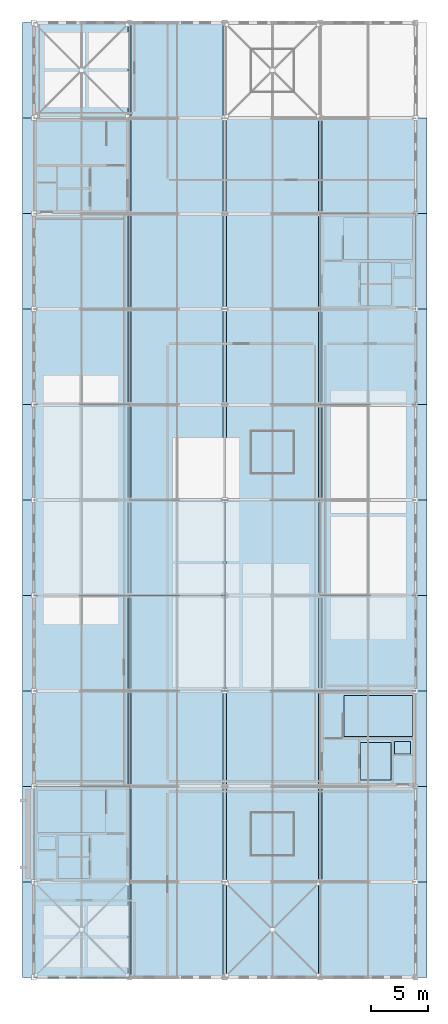
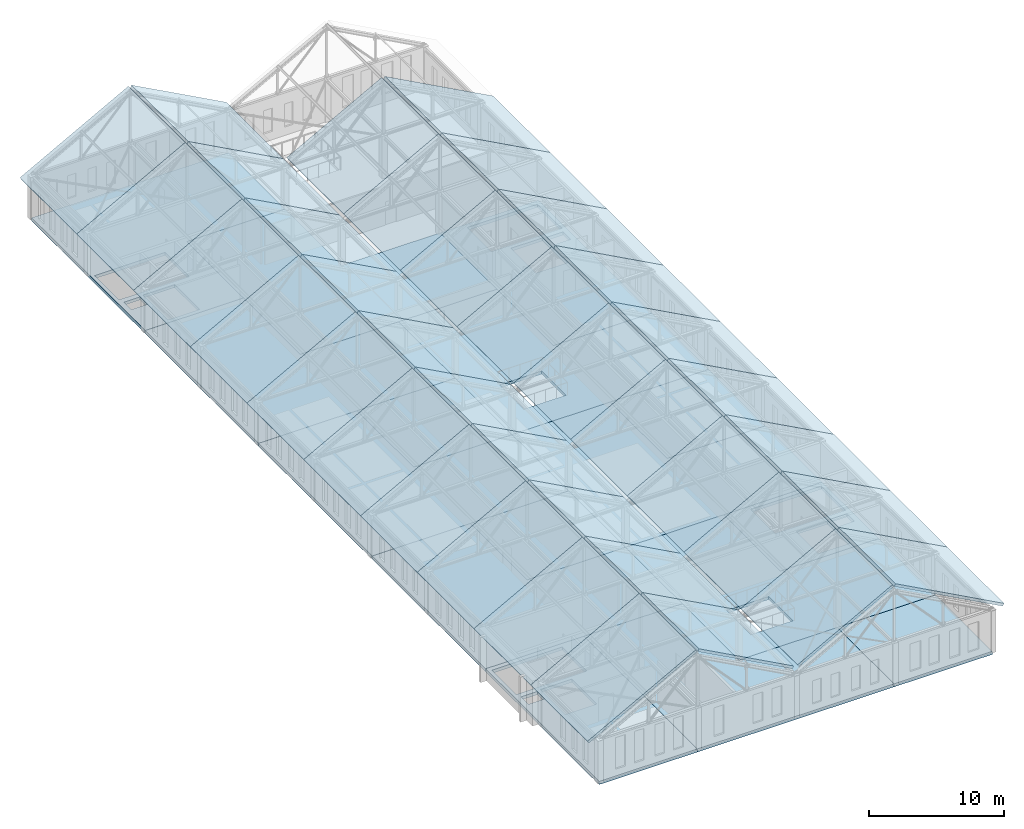
# One storey, part 16 of 36: 54 slabs.
"""IFC4 building model written with IfcOpenShell, lengths in metres."""

from ifc_helpers import new_model, si_unit, direction, frame, origin, place, context, subcontext, project, spatial, polyline, outline, extrude, material, layer, layer_set, type_object, element, save


model = new_model("IFC4")

# Units and contexts
model_context = context("Model", 3, precision=1e-05, world=origin(), true_north=direction((0.0, 1.0)))
body_context = subcontext(model_context, "Body", "Model", "MODEL_VIEW")
ifc_project = project(units=[si_unit("LENGTHUNIT", "METRE"), si_unit("AREAUNIT", "SQUARE_METRE"), si_unit("VOLUMEUNIT", "CUBIC_METRE"), si_unit("PLANEANGLEUNIT", "RADIAN"), si_unit("MASSUNIT", "GRAM", prefix="KILO")], contexts=[model_context])

# Site, building, storey
site_placement = place(None, origin())
site = spatial("IfcSite", under=ifc_project, at=site_placement, CompositionType="ELEMENT")
building_placement = place(site_placement, origin())
building = spatial("IfcBuilding", under=site, at=building_placement, Name="Kveldsbrygga Polytechnic", CompositionType="ELEMENT")
storey_placement = place(building_placement, frame((0.0, 0.0, 26.179931640625)))
storey = spatial("IfcBuildingStorey", under=building, at=storey_placement, Name="L06", CompositionType="ELEMENT", Elevation=26.179931640625)

# Slabs
ifc_material = material(Name="Concrete C35/45", Category="concrete")
ifc_layer_1 = layer(ifc_material, 0.239990234375)
ifc_layer_set_1 = layer_set([ifc_layer_1], Name="Concrete C35/45")
slab_type_1 = type_object("IfcSlabType", Name="SLB-ROOF-240", PredefinedType="ROOF", material=ifc_layer_set_1)
slab_1_placement = place(storey_placement, frame((125.0, 16.800048828125, 3.980712890625), z_axis=(-0.476295090308, 0.0, 0.879285497975), x_axis=(0.879285497975, 0.0, 0.476295090308)))
element("IfcSlab", 1, at=slab_1_placement, inside=storey, type_object=slab_type_1, Name="Pitched Roof Slab V4M1-RSLB-1-1", PredefinedType="ROOF", context=body_context, shape_type="SweptSolid", body=[
    extrude(outline(polyline([(0.0, 0.0), (10.537675216231701, 0.0), (10.537675216231701, 8.39990234375), (0.0, 8.39990234375), (0.0, 0.0)])), origin(), (0.0, 0.0, -1.0), 0.239990234375),
])
slab_2_placement = place(storey_placement, frame((134.5341796875, 16.800048828125, 8.999755859375), z_axis=(0.476281444297, 0.0, 0.879292889666), x_axis=(0.879292889666, 0.0, -0.476281444297)))
element("IfcSlab", 2, at=slab_2_placement, inside=storey, type_object=slab_type_1, Name="Pitched Roof Slab V4M1-RSLB-1-2", PredefinedType="ROOF", context=body_context, shape_type="SweptSolid", body=[
    extrude(outline(polyline([(0.0, 0.0), (9.22982859480255, 0.0), (9.22982859480255, 8.39990234375), (0.0, 8.39990234375), (0.0, 0.0)])), origin(), (0.0, 0.0, -1.0), 0.239990234375),
])
slab_3_placement = place(storey_placement, frame((125.0, 25.199951171875, 3.980712890625), z_axis=(-0.476295090308, 0.0, 0.879285497975), x_axis=(0.879285497975, 0.0, 0.476295090308)))
element("IfcSlab", 3, at=slab_3_placement, inside=storey, type_object=slab_type_1, Name="Pitched Roof Slab V4M1-RSLB-2-1", PredefinedType="ROOF", context=body_context, shape_type="SweptSolid", body=[
    extrude(outline(polyline([(0.0, 0.0), (10.537675216231701, 0.0), (10.537675216231701, 8.400146484375), (0.0, 8.400146484375), (0.0, 0.0)])), origin(), (0.0, 0.0, -1.0), 0.239990234375),
])
slab_4_placement = place(storey_placement, frame((134.5341796875, 25.199951171875, 8.999755859375), z_axis=(0.476281444297, 0.0, 0.879292889666), x_axis=(0.879292889666, 0.0, -0.476281444297)))
element("IfcSlab", 4, at=slab_4_placement, inside=storey, type_object=slab_type_1, Name="Pitched Roof Slab V4M1-RSLB-2-2", PredefinedType="ROOF", context=body_context, shape_type="SweptSolid", body=[
    extrude(outline(polyline([(0.0, 0.0), (9.229828594802552, 0.0), (9.229828594802552, 8.400146484375), (0.0, 8.400146484375), (0.0, 0.0)])), origin(), (0.0, 0.0, -1.0), 0.239990234375),
])
slab_5_placement = place(storey_placement, frame((125.0, 33.60009765625, 3.980712890625), z_axis=(-0.476295090308, 0.0, 0.879285497975), x_axis=(0.879285497975, 0.0, 0.476295090308)))
element("IfcSlab", 5, at=slab_5_placement, inside=storey, type_object=slab_type_1, Name="Pitched Roof Slab V4M1-RSLB-3-1", PredefinedType="ROOF", context=body_context, shape_type="SweptSolid", body=[
    extrude(outline(polyline([(0.0, 0.0), (10.537675216231701, 0.0), (10.537675216231701, 8.39990234375), (0.0, 8.39990234375), (0.0, 0.0)])), origin(), (0.0, 0.0, -1.0), 0.239990234375),
])
slab_6_placement = place(storey_placement, frame((134.5341796875, 33.60009765625, 8.999755859375), z_axis=(0.476281444297, 0.0, 0.879292889666), x_axis=(0.879292889666, 0.0, -0.476281444297)))
element("IfcSlab", 6, at=slab_6_placement, inside=storey, type_object=slab_type_1, Name="Pitched Roof Slab V4M1-RSLB-3-2", PredefinedType="ROOF", context=body_context, shape_type="SweptSolid", body=[
    extrude(outline(polyline([(0.0, 0.0), (9.22982859480255, 0.0), (9.22982859480255, 8.39990234375), (0.0, 8.39990234375), (0.0, 0.0)])), origin(), (0.0, 0.0, -1.0), 0.239990234375),
])
slab_7_placement = place(storey_placement, frame((125.0, 42.0, 3.980712890625), z_axis=(-0.476295090308, 0.0, 0.879285497975), x_axis=(0.879285497975, 0.0, 0.476295090308)))
element("IfcSlab", 7, at=slab_7_placement, inside=storey, type_object=slab_type_1, Name="Pitched Roof Slab V4M1-RSLB-4-1", PredefinedType="ROOF", context=body_context, shape_type="SweptSolid", body=[
    extrude(outline(polyline([(0.0, 0.0), (10.537675216231701, 0.0), (10.537675216231701, 8.39990234375), (0.0, 8.39990234375), (0.0, 0.0)])), origin(), (0.0, 0.0, -1.0), 0.239990234375),
])
slab_8_placement = place(storey_placement, frame((134.5341796875, 42.0, 8.999755859375), z_axis=(0.476281444297, 0.0, 0.879292889666), x_axis=(0.879292889666, 0.0, -0.476281444297)))
element("IfcSlab", 8, at=slab_8_placement, inside=storey, type_object=slab_type_1, Name="Pitched Roof Slab V4M1-RSLB-4-2", PredefinedType="ROOF", context=body_context, shape_type="SweptSolid", body=[
    extrude(outline(polyline([(0.0, 0.0), (9.22982859480255, 0.0), (9.22982859480255, 8.39990234375), (0.0, 8.39990234375), (0.0, 0.0)])), origin(), (0.0, 0.0, -1.0), 0.239990234375),
])
slab_9_placement = place(storey_placement, frame((125.0, 50.39990234375, 3.980712890625), z_axis=(-0.476295090308, 0.0, 0.879285497975), x_axis=(0.879285497975, 0.0, 0.476295090308)))
element("IfcSlab", 9, at=slab_9_placement, inside=storey, type_object=slab_type_1, Name="Pitched Roof Slab V4M1-RSLB-5-1", PredefinedType="ROOF", context=body_context, shape_type="SweptSolid", body=[
    extrude(outline(polyline([(0.0, 0.0), (10.537675216231701, 0.0), (10.537675216231701, 8.400146484375), (0.0, 8.400146484375), (0.0, 0.0)])), origin(), (0.0, 0.0, -1.0), 0.239990234375),
])
slab_10_placement = place(storey_placement, frame((134.5341796875, 50.39990234375, 8.999755859375), z_axis=(0.476281444297, 0.0, 0.879292889666), x_axis=(0.879292889666, 0.0, -0.476281444297)))
element("IfcSlab", 10, at=slab_10_placement, inside=storey, type_object=slab_type_1, Name="Pitched Roof Slab V4M1-RSLB-5-2", PredefinedType="ROOF", context=body_context, shape_type="SweptSolid", body=[
    extrude(outline(polyline([(0.0, 0.0), (9.229828594802552, 0.0), (9.229828594802552, 8.400146484375), (0.0, 8.400146484375), (0.0, 0.0)])), origin(), (0.0, 0.0, -1.0), 0.239990234375),
])
slab_11_placement = place(storey_placement, frame((125.0, 58.800048828125, 3.980712890625), z_axis=(-0.476295090308, 0.0, 0.879285497975), x_axis=(0.879285497975, 0.0, 0.476295090308)))
element("IfcSlab", 11, at=slab_11_placement, inside=storey, type_object=slab_type_1, Name="Pitched Roof Slab V4M1-RSLB-6-1", PredefinedType="ROOF", context=body_context, shape_type="SweptSolid", body=[
    extrude(outline(polyline([(0.0, 0.0), (10.537675216231701, 0.0), (10.537675216231701, 8.39990234375), (0.0, 8.39990234375), (0.0, 0.0)])), origin(), (0.0, 0.0, -1.0), 0.239990234375),
])
slab_12_placement = place(storey_placement, frame((134.5341796875, 58.800048828125, 8.999755859375), z_axis=(0.476281444297, 0.0, 0.879292889666), x_axis=(0.879292889666, 0.0, -0.476281444297)))
element("IfcSlab", 12, at=slab_12_placement, inside=storey, type_object=slab_type_1, Name="Pitched Roof Slab V4M1-RSLB-6-2", PredefinedType="ROOF", context=body_context, shape_type="SweptSolid", body=[
    extrude(outline(polyline([(0.0, 0.0), (9.22982859480255, 0.0), (9.22982859480255, 8.39990234375), (0.0, 8.39990234375), (0.0, 0.0)])), origin(), (0.0, 0.0, -1.0), 0.239990234375),
])
slab_13_placement = place(storey_placement, frame((125.0, 67.199951171875, 3.980712890625), z_axis=(-0.476295090308, 0.0, 0.879285497975), x_axis=(0.879285497975, 0.0, 0.476295090308)))
element("IfcSlab", 13, at=slab_13_placement, inside=storey, type_object=slab_type_1, Name="Pitched Roof Slab V4M1-RSLB-7-1", PredefinedType="ROOF", context=body_context, shape_type="SweptSolid", body=[
    extrude(outline(polyline([(0.0, 0.0), (10.537675216231701, 0.0), (10.537675216231701, 8.400146484375), (0.0, 8.400146484375), (0.0, 0.0)])), origin(), (0.0, 0.0, -1.0), 0.239990234375),
])
slab_14_placement = place(storey_placement, frame((134.5341796875, 67.199951171875, 8.999755859375), z_axis=(0.476281444297, 0.0, 0.879292889666), x_axis=(0.879292889666, 0.0, -0.476281444297)))
element("IfcSlab", 14, at=slab_14_placement, inside=storey, type_object=slab_type_1, Name="Pitched Roof Slab V4M1-RSLB-7-2", PredefinedType="ROOF", context=body_context, shape_type="SweptSolid", body=[
    extrude(outline(polyline([(0.0, 0.0), (9.229828594802552, 0.0), (9.229828594802552, 8.400146484375), (0.0, 8.400146484375), (0.0, 0.0)])), origin(), (0.0, 0.0, -1.0), 0.239990234375),
])
slab_15_placement = place(storey_placement, frame((125.0, 75.60009765625, 3.980712890625), z_axis=(-0.476295090308, 0.0, 0.879285497975), x_axis=(0.879285497975, 0.0, 0.476295090308)))
element("IfcSlab", 15, at=slab_15_placement, inside=storey, type_object=slab_type_1, Name="Pitched Roof Slab V4M1-RSLB-8-1", PredefinedType="ROOF", context=body_context, shape_type="SweptSolid", body=[
    extrude(outline(polyline([(0.0, 0.0), (10.537675216231701, 0.0), (10.537675216231701, 8.39990234375), (0.0, 8.39990234375), (0.0, 0.0)])), origin(), (0.0, 0.0, -1.0), 0.239990234375),
])
slab_16_placement = place(storey_placement, frame((134.5341796875, 75.60009765625, 8.999755859375), z_axis=(0.476281444297, 0.0, 0.879292889666), x_axis=(0.879292889666, 0.0, -0.476281444297)))
element("IfcSlab", 16, at=slab_16_placement, inside=storey, type_object=slab_type_1, Name="Pitched Roof Slab V4M1-RSLB-8-2", PredefinedType="ROOF", context=body_context, shape_type="SweptSolid", body=[
    extrude(outline(polyline([(0.0, 0.0), (9.22982859480255, 0.0), (9.22982859480255, 8.39990234375), (0.0, 8.39990234375), (0.0, 0.0)])), origin(), (0.0, 0.0, -1.0), 0.239990234375),
])
slab_17_placement = place(storey_placement, frame((125.0, 84.0, 3.980712890625), z_axis=(-0.476295090308, 0.0, 0.879285497975), x_axis=(0.879285497975, 0.0, 0.476295090308)))
element("IfcSlab", 17, at=slab_17_placement, inside=storey, type_object=slab_type_1, Name="Pitched Roof Slab V4M1-RSLB-9-1", PredefinedType="ROOF", context=body_context, shape_type="SweptSolid", body=[
    extrude(outline(polyline([(0.0, 0.0), (10.537675216231701, 0.0), (10.537675216231701, 8.39990234375), (0.0, 8.39990234375), (0.0, 0.0)])), origin(), (0.0, 0.0, -1.0), 0.239990234375),
])
slab_18_placement = place(storey_placement, frame((134.5341796875, 84.0, 8.999755859375), z_axis=(0.476281444297, 0.0, 0.879292889666), x_axis=(0.879292889666, 0.0, -0.476281444297)))
element("IfcSlab", 18, at=slab_18_placement, inside=storey, type_object=slab_type_1, Name="Pitched Roof Slab V4M1-RSLB-9-2", PredefinedType="ROOF", context=body_context, shape_type="SweptSolid", body=[
    extrude(outline(polyline([(0.0, 0.0), (9.22982859480255, 0.0), (9.22982859480255, 8.39990234375), (0.0, 8.39990234375), (0.0, 0.0)])), origin(), (0.0, 0.0, -1.0), 0.239990234375),
])
slab_19_placement = place(storey_placement, frame((125.0, 92.39990234375, 3.980712890625), z_axis=(-0.476295090308, 0.0, 0.879285497975), x_axis=(0.879285497975, 0.0, 0.476295090308)))
element("IfcSlab", 19, at=slab_19_placement, inside=storey, type_object=slab_type_1, Name="Pitched Roof Slab V4M1-RSLB-10-1", PredefinedType="ROOF", context=body_context, shape_type="SweptSolid", body=[
    extrude(outline(polyline([(0.0, 0.0), (10.537675216231701, 0.0), (10.537675216231701, 8.400146484375), (0.0, 8.400146484375), (0.0, 0.0)])), origin(), (0.0, 0.0, -1.0), 0.239990234375),
])
slab_20_placement = place(storey_placement, frame((134.5341796875, 92.39990234375, 8.999755859375), z_axis=(0.476281444297, 0.0, 0.879292889666), x_axis=(0.879292889666, 0.0, -0.476281444297)))
element("IfcSlab", 20, at=slab_20_placement, inside=storey, type_object=slab_type_1, Name="Pitched Roof Slab V4M1-RSLB-10-2", PredefinedType="ROOF", context=body_context, shape_type="SweptSolid", body=[
    extrude(outline(polyline([(0.0, 0.0), (9.229828594802552, 0.0), (9.229828594802552, 8.400146484375), (0.0, 8.400146484375), (0.0, 0.0)])), origin(), (0.0, 0.0, -1.0), 0.239990234375),
])
slab_21_placement = place(storey_placement, frame((142.949951171875, 16.800048828125, 4.603759765625), z_axis=(-0.476281444297, 0.0, 0.879292889666), x_axis=(0.879292889666, 0.0, 0.476281444297)))
element("IfcSlab", 21, at=slab_21_placement, inside=storey, type_object=slab_type_1, Name="Pitched Roof Slab V4M2-RSLB-1-1", PredefinedType="ROOF", context=body_context, shape_type="SweptSolid", body=[
    extrude(outline(polyline([(0.0, 0.0), (9.22982859480255, 0.0), (9.22982859480255, 8.39990234375), (0.0, 8.39990234375), (0.0, 0.0)])), origin(), (0.0, 0.0, -1.0), 0.239990234375),
])
slab_22_placement = place(storey_placement, frame((151.334228515625, 16.800048828125, 8.999755859375), z_axis=(0.476285387583, 0.0, 0.879290753718), x_axis=(0.879290753718, 0.0, -0.476285387583)))
element("IfcSlab", 22, at=slab_22_placement, inside=storey, type_object=slab_type_1, Name="Pitched Roof Slab V4M2-RSLB-1-2", PredefinedType="ROOF", context=body_context, shape_type="SweptSolid", body=[
    extrude(outline(polyline([(0.0, 0.0), (10.537889886184308, 0.0), (10.537889886184308, 8.399902343750002), (0.0, 8.399902343750002), (0.0, 0.0)])), origin(), (0.0, 0.0, -1.0), 0.239990234375),
])
slab_23_placement = place(storey_placement, frame((142.949951171875, 25.199951171875, 4.603759765625), z_axis=(-0.476281444297, 0.0, 0.879292889666), x_axis=(0.879292889666, 0.0, 0.476281444297)))
element("IfcSlab", 23, at=slab_23_placement, inside=storey, type_object=slab_type_1, Name="Pitched Roof Slab V4M2-RSLB-2-1", PredefinedType="ROOF", context=body_context, shape_type="SweptSolid", body=[
    extrude(outline(polyline([(0.0, 0.0), (9.229828594802552, 0.0), (9.229828594802552, 8.400146484375), (0.0, 8.400146484375), (0.0, 0.0)])), origin(), (0.0, 0.0, -1.0), 0.239990234375),
])
slab_24_placement = place(storey_placement, frame((151.334228515625, 25.199951171875, 8.999755859375), z_axis=(0.476285387583, 0.0, 0.879290753718), x_axis=(0.879290753718, 0.0, -0.476285387583)))
element("IfcSlab", 24, at=slab_24_placement, inside=storey, type_object=slab_type_1, Name="Pitched Roof Slab V4M2-RSLB-2-2", PredefinedType="ROOF", context=body_context, shape_type="SweptSolid", body=[
    extrude(outline(polyline([(0.0, 0.0), (10.537889886184306, 0.0), (10.537889886184306, 8.400146484375), (0.0, 8.400146484375), (0.0, 0.0)])), origin(), (0.0, 0.0, -1.0), 0.239990234375),
])
slab_25_placement = place(storey_placement, frame((142.949951171875, 33.60009765625, 4.603759765625), z_axis=(-0.476281444297, 0.0, 0.879292889666), x_axis=(0.879292889666, 0.0, 0.476281444297)))
element("IfcSlab", 25, at=slab_25_placement, inside=storey, type_object=slab_type_1, Name="Pitched Roof Slab V4M2-RSLB-3-1", PredefinedType="ROOF", context=body_context, shape_type="SweptSolid", body=[
    extrude(outline(polyline([(0.0, 0.0), (9.22982859480255, 0.0), (9.22982859480255, 8.39990234375), (0.0, 8.39990234375), (0.0, 0.0)])), origin(), (0.0, 0.0, -1.0), 0.239990234375),
])
slab_26_placement = place(storey_placement, frame((151.334228515625, 33.60009765625, 8.999755859375), z_axis=(0.476285387583, 0.0, 0.879290753718), x_axis=(0.879290753718, 0.0, -0.476285387583)))
element("IfcSlab", 26, at=slab_26_placement, inside=storey, type_object=slab_type_1, Name="Pitched Roof Slab V4M2-RSLB-3-2", PredefinedType="ROOF", context=body_context, shape_type="SweptSolid", body=[
    extrude(outline(polyline([(0.0, 0.0), (10.537889886184308, 0.0), (10.537889886184308, 8.399902343750002), (0.0, 8.399902343750002), (0.0, 0.0)])), origin(), (0.0, 0.0, -1.0), 0.239990234375),
])
slab_27_placement = place(storey_placement, frame((142.949951171875, 42.0, 4.603759765625), z_axis=(-0.476281444297, 0.0, 0.879292889666), x_axis=(0.879292889666, 0.0, 0.476281444297)))
element("IfcSlab", 27, at=slab_27_placement, inside=storey, type_object=slab_type_1, Name="Pitched Roof Slab V4M2-RSLB-4-1", PredefinedType="ROOF", context=body_context, shape_type="SweptSolid", body=[
    extrude(outline(polyline([(0.0, 0.0), (9.22982859480255, 0.0), (9.22982859480255, 8.39990234375), (0.0, 8.39990234375), (0.0, 0.0)])), origin(), (0.0, 0.0, -1.0), 0.239990234375),
])
slab_28_placement = place(storey_placement, frame((151.334228515625, 42.0, 8.999755859375), z_axis=(0.476285387583, 0.0, 0.879290753718), x_axis=(0.879290753718, 0.0, -0.476285387583)))
element("IfcSlab", 28, at=slab_28_placement, inside=storey, type_object=slab_type_1, Name="Pitched Roof Slab V4M2-RSLB-4-2", PredefinedType="ROOF", context=body_context, shape_type="SweptSolid", body=[
    extrude(outline(polyline([(0.0, 0.0), (10.537889886184308, 0.0), (10.537889886184308, 8.399902343750002), (0.0, 8.399902343750002), (0.0, 0.0)])), origin(), (0.0, 0.0, -1.0), 0.239990234375),
])
slab_29_placement = place(storey_placement, frame((142.949951171875, 50.39990234375, 4.603759765625), z_axis=(-0.476281444297, 0.0, 0.879292889666), x_axis=(0.879292889666, 0.0, 0.476281444297)))
element("IfcSlab", 29, at=slab_29_placement, inside=storey, type_object=slab_type_1, Name="Pitched Roof Slab V4M2-RSLB-5-1", PredefinedType="ROOF", context=body_context, shape_type="SweptSolid", body=[
    extrude(outline(polyline([(0.0, 0.0), (9.229828594802552, 0.0), (9.229828594802552, 8.400146484375), (0.0, 8.400146484375), (0.0, 0.0)])), origin(), (0.0, 0.0, -1.0), 0.239990234375),
])
slab_30_placement = place(storey_placement, frame((151.334228515625, 50.39990234375, 8.999755859375), z_axis=(0.476285387583, 0.0, 0.879290753718), x_axis=(0.879290753718, 0.0, -0.476285387583)))
element("IfcSlab", 30, at=slab_30_placement, inside=storey, type_object=slab_type_1, Name="Pitched Roof Slab V4M2-RSLB-5-2", PredefinedType="ROOF", context=body_context, shape_type="SweptSolid", body=[
    extrude(outline(polyline([(0.0, 0.0), (10.537889886184306, 0.0), (10.537889886184306, 8.400146484375), (0.0, 8.400146484375), (0.0, 0.0)])), origin(), (0.0, 0.0, -1.0), 0.239990234375),
])
slab_31_placement = place(storey_placement, frame((142.949951171875, 58.800048828125, 4.603759765625), z_axis=(-0.476281444297, 0.0, 0.879292889666), x_axis=(0.879292889666, 0.0, 0.476281444297)))
element("IfcSlab", 31, at=slab_31_placement, inside=storey, type_object=slab_type_1, Name="Pitched Roof Slab V4M2-RSLB-6-1", PredefinedType="ROOF", context=body_context, shape_type="SweptSolid", body=[
    extrude(outline(polyline([(0.0, 0.0), (9.22982859480255, 0.0), (9.22982859480255, 8.39990234375), (0.0, 8.39990234375), (0.0, 0.0)])), origin(), (0.0, 0.0, -1.0), 0.239990234375),
])
slab_32_placement = place(storey_placement, frame((151.334228515625, 58.800048828125, 8.999755859375), z_axis=(0.476285387583, 0.0, 0.879290753718), x_axis=(0.879290753718, 0.0, -0.476285387583)))
element("IfcSlab", 32, at=slab_32_placement, inside=storey, type_object=slab_type_1, Name="Pitched Roof Slab V4M2-RSLB-6-2", PredefinedType="ROOF", context=body_context, shape_type="SweptSolid", body=[
    extrude(outline(polyline([(0.0, 0.0), (10.537889886184308, 0.0), (10.537889886184308, 8.399902343750002), (0.0, 8.399902343750002), (0.0, 0.0)])), origin(), (0.0, 0.0, -1.0), 0.239990234375),
])
slab_33_placement = place(storey_placement, frame((142.949951171875, 67.199951171875, 4.603759765625), z_axis=(-0.476281444297, 0.0, 0.879292889666), x_axis=(0.879292889666, 0.0, 0.476281444297)))
element("IfcSlab", 33, at=slab_33_placement, inside=storey, type_object=slab_type_1, Name="Pitched Roof Slab V4M2-RSLB-7-1", PredefinedType="ROOF", context=body_context, shape_type="SweptSolid", body=[
    extrude(outline(polyline([(0.0, 0.0), (9.229828594802552, 0.0), (9.229828594802552, 8.400146484375), (0.0, 8.400146484375), (0.0, 0.0)])), origin(), (0.0, 0.0, -1.0), 0.239990234375),
])
slab_34_placement = place(storey_placement, frame((151.334228515625, 67.199951171875, 8.999755859375), z_axis=(0.476285387583, 0.0, 0.879290753718), x_axis=(0.879290753718, 0.0, -0.476285387583)))
element("IfcSlab", 34, at=slab_34_placement, inside=storey, type_object=slab_type_1, Name="Pitched Roof Slab V4M2-RSLB-7-2", PredefinedType="ROOF", context=body_context, shape_type="SweptSolid", body=[
    extrude(outline(polyline([(0.0, 0.0), (10.537889886184306, 0.0), (10.537889886184306, 8.400146484375), (0.0, 8.400146484375), (0.0, 0.0)])), origin(), (0.0, 0.0, -1.0), 0.239990234375),
])
slab_35_placement = place(storey_placement, frame((142.949951171875, 75.60009765625, 4.603759765625), z_axis=(-0.476281444297, 0.0, 0.879292889666), x_axis=(0.879292889666, 0.0, 0.476281444297)))
element("IfcSlab", 35, at=slab_35_placement, inside=storey, type_object=slab_type_1, Name="Pitched Roof Slab V4M2-RSLB-8-1", PredefinedType="ROOF", context=body_context, shape_type="SweptSolid", body=[
    extrude(outline(polyline([(0.0, 0.0), (9.22982859480255, 0.0), (9.22982859480255, 8.39990234375), (0.0, 8.39990234375), (0.0, 0.0)])), origin(), (0.0, 0.0, -1.0), 0.239990234375),
])
slab_36_placement = place(storey_placement, frame((151.334228515625, 75.60009765625, 8.999755859375), z_axis=(0.476285387583, 0.0, 0.879290753718), x_axis=(0.879290753718, 0.0, -0.476285387583)))
element("IfcSlab", 36, at=slab_36_placement, inside=storey, type_object=slab_type_1, Name="Pitched Roof Slab V4M2-RSLB-8-2", PredefinedType="ROOF", context=body_context, shape_type="SweptSolid", body=[
    extrude(outline(polyline([(0.0, 0.0), (10.537889886184308, 0.0), (10.537889886184308, 8.399902343750002), (0.0, 8.399902343750002), (0.0, 0.0)])), origin(), (0.0, 0.0, -1.0), 0.239990234375),
])
slab_37_placement = place(storey_placement, frame((142.949951171875, 84.0, 4.603759765625), z_axis=(-0.476281444297, 0.0, 0.879292889666), x_axis=(0.879292889666, 0.0, 0.476281444297)))
element("IfcSlab", 37, at=slab_37_placement, inside=storey, type_object=slab_type_1, Name="Pitched Roof Slab V4M2-RSLB-9-1", PredefinedType="ROOF", context=body_context, shape_type="SweptSolid", body=[
    extrude(outline(polyline([(0.0, 0.0), (9.22982859480255, 0.0), (9.22982859480255, 8.39990234375), (0.0, 8.39990234375), (0.0, 0.0)])), origin(), (0.0, 0.0, -1.0), 0.239990234375),
])
slab_38_placement = place(storey_placement, frame((151.334228515625, 84.0, 8.999755859375), z_axis=(0.476285387583, 0.0, 0.879290753718), x_axis=(0.879290753718, 0.0, -0.476285387583)))
element("IfcSlab", 38, at=slab_38_placement, inside=storey, type_object=slab_type_1, Name="Pitched Roof Slab V4M2-RSLB-9-2", PredefinedType="ROOF", context=body_context, shape_type="SweptSolid", body=[
    extrude(outline(polyline([(0.0, 0.0), (10.537889886184308, 0.0), (10.537889886184308, 8.399902343750002), (0.0, 8.399902343750002), (0.0, 0.0)])), origin(), (0.0, 0.0, -1.0), 0.239990234375),
])
ifc_layer_2 = layer(ifc_material, 0.280029296875)
ifc_layer_set_2 = layer_set([ifc_layer_2], Name="Concrete C35/45")
slab_type_2 = type_object("IfcSlabType", Name="SLB-STD-280", PredefinedType="FLOOR", material=ifc_layer_set_2)
slab_39_placement = place(storey_placement, frame((0.0, 0.0, -0.280029296875)))
element("IfcSlab", 39, at=slab_39_placement, inside=storey, type_object=slab_type_2, Name="Slab SLB-L06-V4-L01-1", PredefinedType="FLOOR", context=body_context, shape_type="SweptSolid", body=[
    extrude(outline(polyline([(126.0, 33.60009765625), (126.0, 42.0), (126.0, 50.39990234375), (134.39990234375, 50.39990234375), (134.39990234375, 42.0), (142.800048828125, 42.0), (142.800048828125, 33.60009765625), (134.39990234375, 33.60009765625), (126.0, 33.60009765625)])), origin(), (0.0, 0.0, 1.0), 0.280029296875),
])
slab_40_placement = place(storey_placement, frame((0.0, 0.0, -0.280029296875)))
element("IfcSlab", 40, at=slab_40_placement, inside=storey, type_object=slab_type_2, Name="Slab SLB-L06-V4-L02-1", PredefinedType="FLOOR", context=body_context, shape_type="SweptSolid", body=[
    extrude(outline(polyline([(126.0, 50.39990234375), (126.0, 58.800048828125), (126.0, 67.199951171875), (134.39990234375, 67.199951171875), (134.39990234375, 58.800048828125), (142.800048828125, 58.800048828125), (142.800048828125, 50.39990234375), (134.39990234375, 50.39990234375), (126.0, 50.39990234375)])), origin(), (0.0, 0.0, 1.0), 0.280029296875),
])
slab_41_placement = place(storey_placement, frame((0.0, 0.0, -0.280029296875)))
element("IfcSlab", 41, at=slab_41_placement, inside=storey, type_object=slab_type_2, Name="Slab SLB-L06-V4-L03-1", PredefinedType="FLOOR", context=body_context, shape_type="SweptSolid", body=[
    extrude(outline(polyline([(126.0, 67.199951171875), (126.0, 75.60009765625), (126.0, 84.0), (134.39990234375, 84.0), (134.39990234375, 75.60009765625), (142.800048828125, 75.60009765625), (142.800048828125, 67.199951171875), (134.39990234375, 67.199951171875), (126.0, 67.199951171875)])), origin(), (0.0, 0.0, 1.0), 0.280029296875),
])
slab_42_placement = place(storey_placement, frame((0.0, 0.0, -0.280029296875)))
element("IfcSlab", 42, at=slab_42_placement, inside=storey, type_object=slab_type_2, Name="Slab SLB-L06-V4-L04-1", PredefinedType="FLOOR", context=body_context, shape_type="SweptSolid", body=[
    extrude(outline(polyline([(134.39990234375, 16.800048828125), (134.39990234375, 25.199951171875), (134.39990234375, 33.60009765625), (142.800048828125, 33.60009765625), (142.800048828125, 25.199951171875), (151.199951171875, 25.199951171875), (151.199951171875, 16.800048828125), (142.800048828125, 16.800048828125), (134.39990234375, 16.800048828125)])), origin(), (0.0, 0.0, 1.0), 0.280029296875),
])
slab_43_placement = place(storey_placement, frame((0.0, 0.0, -0.280029296875)))
element("IfcSlab", 43, at=slab_43_placement, inside=storey, type_object=slab_type_2, Name="Slab SLB-L06-V4-L05-1", PredefinedType="FLOOR", context=body_context, shape_type="SweptSolid", body=[
    extrude(outline(polyline([(134.39990234375, 75.60009765625), (134.39990234375, 84.0), (134.39990234375, 92.39990234375), (142.800048828125, 92.39990234375), (142.800048828125, 84.0), (151.199951171875, 84.0), (151.199951171875, 75.60009765625), (142.800048828125, 75.60009765625), (134.39990234375, 75.60009765625)])), origin(), (0.0, 0.0, 1.0), 0.280029296875),
])
slab_44_placement = place(storey_placement, frame((0.0, 0.0, -0.280029296875)))
element("IfcSlab", 44, at=slab_44_placement, inside=storey, type_object=slab_type_2, Name="Slab SLB-L06-V4-L06-1", PredefinedType="FLOOR", context=body_context, shape_type="SweptSolid", body=[
    extrude(outline(polyline([(142.800048828125, 25.199951171875), (142.800048828125, 33.60009765625), (142.800048828125, 42.0), (151.199951171875, 42.0), (151.199951171875, 33.60009765625), (159.60009765625, 33.60009765625), (159.60009765625, 25.199951171875), (151.199951171875, 25.199951171875), (142.800048828125, 25.199951171875)]), holes=[polyline([(145.199951171875, 27.60009765625), (148.800048828125, 27.60009765625), (148.800048828125, 31.199951171875), (145.199951171875, 31.199951171875), (145.199951171875, 27.60009765625)])]), origin(), (0.0, 0.0, 1.0), 0.280029296875),
])
slab_45_placement = place(storey_placement, frame((0.0, 0.0, -0.280029296875)))
element("IfcSlab", 45, at=slab_45_placement, inside=storey, type_object=slab_type_2, Name="Slab SLB-L06-V4-L07-1", PredefinedType="FLOOR", context=body_context, shape_type="SweptSolid", body=[
    extrude(outline(polyline([(142.800048828125, 42.0), (142.800048828125, 50.39990234375), (142.800048828125, 58.800048828125), (151.199951171875, 58.800048828125), (151.199951171875, 50.39990234375), (159.60009765625, 50.39990234375), (159.60009765625, 42.0), (151.199951171875, 42.0), (142.800048828125, 42.0)])), origin(), (0.0, 0.0, 1.0), 0.280029296875),
])
slab_46_placement = place(storey_placement, frame((0.0, 0.0, -0.280029296875)))
element("IfcSlab", 46, at=slab_46_placement, inside=storey, type_object=slab_type_2, Name="Slab SLB-L06-V4-L08-1", PredefinedType="FLOOR", context=body_context, shape_type="SweptSolid", body=[
    extrude(outline(polyline([(142.800048828125, 58.800048828125), (142.800048828125, 67.199951171875), (142.800048828125, 75.60009765625), (151.199951171875, 75.60009765625), (151.199951171875, 67.199951171875), (159.60009765625, 67.199951171875), (159.60009765625, 58.800048828125), (151.199951171875, 58.800048828125), (142.800048828125, 58.800048828125)]), holes=[polyline([(145.199951171875, 61.199951171875), (148.800048828125, 61.199951171875), (148.800048828125, 64.800048828125), (145.199951171875, 64.800048828125), (145.199951171875, 61.199951171875)])]), origin(), (0.0, 0.0, 1.0), 0.280029296875),
])
slab_47_placement = place(storey_placement, frame((0.0, 0.0, -0.280029296875)))
element("IfcSlab", 47, at=slab_47_placement, inside=storey, type_object=slab_type_2, Name="Slab SLB-L06-V4-Z3-1", PredefinedType="FLOOR", context=body_context, shape_type="SweptSolid", body=[
    extrude(outline(polyline([(126.0, 25.199951171875), (126.0, 33.60009765625), (134.39990234375, 33.60009765625), (134.39990234375, 25.199951171875), (134.39990234375, 16.800048828125), (126.0, 16.800048828125), (126.0, 25.199951171875)]), holes=[polyline([(132.324951171875, 33.199951171875), (126.300048828125, 33.199951171875), (126.300048828125, 29.60009765625), (132.324951171875, 29.60009765625), (132.324951171875, 33.199951171875)]), polyline([(128.14990234375, 25.550048828125), (130.85009765625, 25.550048828125), (130.85009765625, 29.25), (128.14990234375, 29.25), (128.14990234375, 25.550048828125)]), polyline([(126.449951171875, 28.050048828125), (127.85009765625, 28.050048828125), (127.85009765625, 29.14990234375), (126.449951171875, 29.14990234375), (126.449951171875, 28.050048828125)])]), origin(), (0.0, 0.0, 1.0), 0.280029296875),
])
slab_48_placement = place(storey_placement, frame((0.0, 0.0, -0.280029296875)))
element("IfcSlab", 48, at=slab_48_placement, inside=storey, type_object=slab_type_2, Name="Slab SLB-L06-V4-Z3-2", PredefinedType="FLOOR", context=body_context, shape_type="SweptSolid", body=[
    extrude(outline(polyline([(151.199951171875, 25.199951171875), (159.60009765625, 25.199951171875), (159.60009765625, 16.800048828125), (151.199951171875, 16.800048828125), (151.199951171875, 25.199951171875)])), origin(), (0.0, 0.0, 1.0), 0.280029296875),
])
slab_49_placement = place(storey_placement, frame((0.0, 0.0, -0.280029296875)))
element("IfcSlab", 49, at=slab_49_placement, inside=storey, type_object=slab_type_2, Name="Slab SLB-L06-V4-Z3-3", PredefinedType="FLOOR", context=body_context, shape_type="SweptSolid", body=[
    extrude(outline(polyline([(151.199951171875, 42.0), (159.60009765625, 42.0), (159.60009765625, 33.60009765625), (151.199951171875, 33.60009765625), (151.199951171875, 42.0)]), holes=[polyline([(153.27490234375, 38.0), (159.300048828125, 38.0), (159.300048828125, 41.60009765625), (153.27490234375, 41.60009765625), (153.27490234375, 38.0)]), polyline([(154.75, 34.14990234375), (157.449951171875, 34.14990234375), (157.449951171875, 37.449951171875), (154.75, 37.449951171875), (154.75, 34.14990234375)]), polyline([(157.75, 36.449951171875), (159.14990234375, 36.449951171875), (159.14990234375, 37.550048828125), (157.75, 37.550048828125), (157.75, 36.449951171875)])]), origin(), (0.0, 0.0, 1.0), 0.280029296875),
])
slab_50_placement = place(storey_placement, frame((0.0, 0.0, -0.280029296875)))
element("IfcSlab", 50, at=slab_50_placement, inside=storey, type_object=slab_type_2, Name="Slab SLB-L06-V4-Z6-1", PredefinedType="FLOOR", context=body_context, shape_type="SweptSolid", body=[
    extrude(outline(polyline([(134.39990234375, 50.39990234375), (142.800048828125, 50.39990234375), (142.800048828125, 42.0), (134.39990234375, 42.0), (134.39990234375, 50.39990234375)])), origin(), (0.0, 0.0, 1.0), 0.280029296875),
])
slab_51_placement = place(storey_placement, frame((0.0, 0.0, -0.280029296875)))
element("IfcSlab", 51, at=slab_51_placement, inside=storey, type_object=slab_type_2, Name="Slab SLB-L06-V4-Z6-2", PredefinedType="FLOOR", context=body_context, shape_type="SweptSolid", body=[
    extrude(outline(polyline([(151.199951171875, 58.800048828125), (159.60009765625, 58.800048828125), (159.60009765625, 50.39990234375), (151.199951171875, 50.39990234375), (151.199951171875, 58.800048828125)])), origin(), (0.0, 0.0, 1.0), 0.280029296875),
])
slab_52_placement = place(storey_placement, frame((0.0, 0.0, -0.280029296875)))
element("IfcSlab", 52, at=slab_52_placement, inside=storey, type_object=slab_type_2, Name="Slab SLB-L06-V4-Z6-3", PredefinedType="FLOOR", context=body_context, shape_type="SweptSolid", body=[
    extrude(outline(polyline([(134.39990234375, 67.199951171875), (142.800048828125, 67.199951171875), (142.800048828125, 58.800048828125), (134.39990234375, 58.800048828125), (134.39990234375, 67.199951171875)])), origin(), (0.0, 0.0, 1.0), 0.280029296875),
])
slab_53_placement = place(storey_placement, frame((0.0, 0.0, -0.280029296875)))
element("IfcSlab", 53, at=slab_53_placement, inside=storey, type_object=slab_type_2, Name="Slab SLB-L06-V4-Z6-4", PredefinedType="FLOOR", context=body_context, shape_type="SweptSolid", body=[
    extrude(outline(polyline([(151.199951171875, 75.60009765625), (151.199951171875, 84.0), (159.60009765625, 84.0), (159.60009765625, 75.60009765625), (159.60009765625, 67.199951171875), (151.199951171875, 67.199951171875), (151.199951171875, 75.60009765625)]), holes=[polyline([(153.27490234375, 80.0), (159.300048828125, 80.0), (159.300048828125, 83.60009765625), (153.27490234375, 83.60009765625), (153.27490234375, 80.0)]), polyline([(154.75, 75.949951171875), (157.449951171875, 75.949951171875), (157.449951171875, 79.64990234375), (154.75, 79.64990234375), (154.75, 75.949951171875)]), polyline([(157.75, 78.449951171875), (159.14990234375, 78.449951171875), (159.14990234375, 79.550048828125), (157.75, 79.550048828125), (157.75, 78.449951171875)])]), origin(), (0.0, 0.0, 1.0), 0.280029296875),
])
slab_54_placement = place(storey_placement, frame((0.0, 0.0, -0.280029296875)))
element("IfcSlab", 54, at=slab_54_placement, inside=storey, type_object=slab_type_2, Name="Slab SLB-L06-V4-Z9-1", PredefinedType="FLOOR", context=body_context, shape_type="SweptSolid", body=[
    extrude(outline(polyline([(126.0, 84.0), (126.0, 92.39990234375), (126.0, 100.800048828125), (134.39990234375, 100.800048828125), (142.800048828125, 100.800048828125), (142.800048828125, 92.39990234375), (134.39990234375, 92.39990234375), (134.39990234375, 84.0), (126.0, 84.0)]), holes=[polyline([(132.324951171875, 92.0), (126.300048828125, 92.0), (126.300048828125, 88.39990234375), (132.324951171875, 88.39990234375), (132.324951171875, 92.0)]), polyline([(128.14990234375, 84.35009765625), (130.85009765625, 84.35009765625), (130.85009765625, 88.050048828125), (128.14990234375, 88.050048828125), (128.14990234375, 84.35009765625)]), polyline([(126.449951171875, 86.85009765625), (127.85009765625, 86.85009765625), (127.85009765625, 87.949951171875), (126.449951171875, 87.949951171875), (126.449951171875, 86.85009765625)])]), origin(), (0.0, 0.0, 1.0), 0.280029296875),
])

save(model, "model.ifc")
